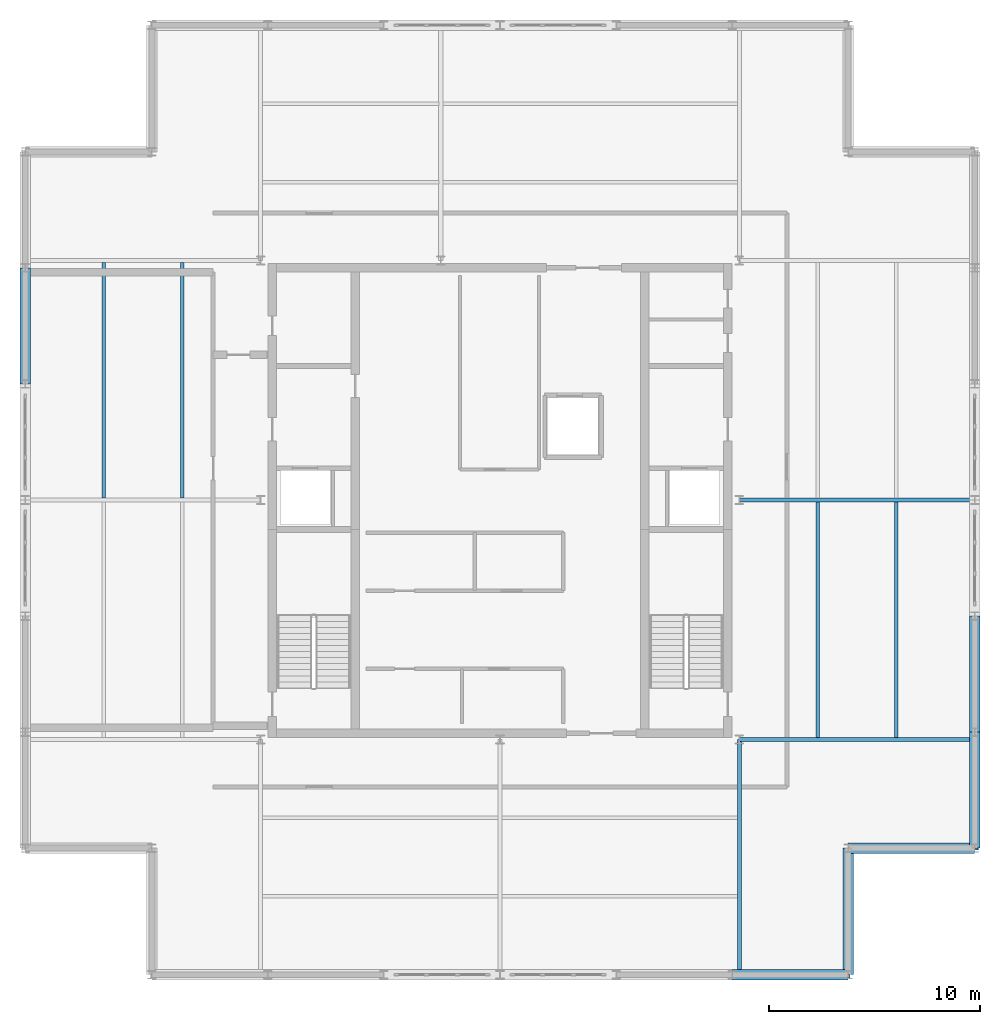
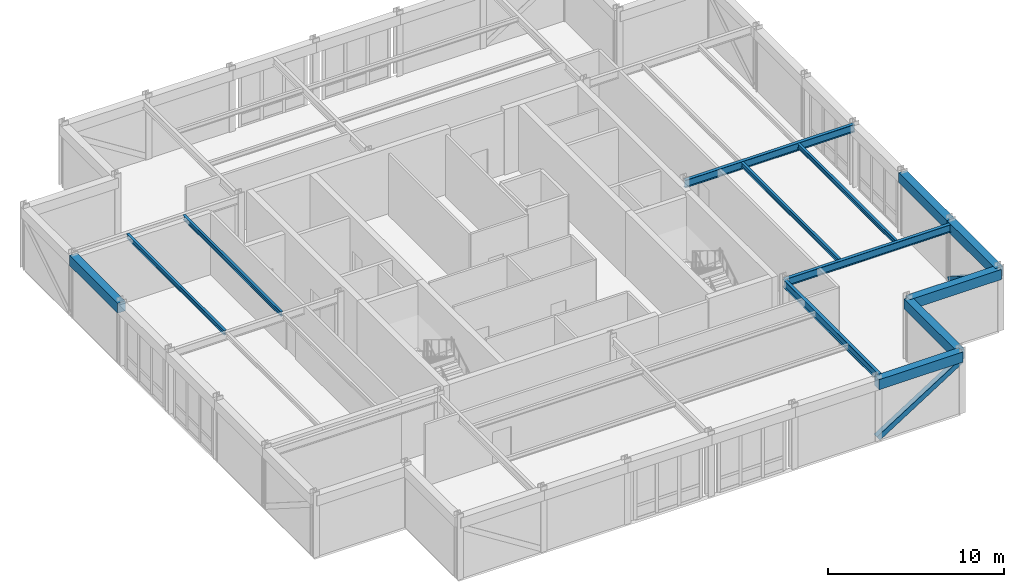
# One storey, part 3 of 9: 13 beams, 2 members.
"""IFC4 building model written with IfcOpenShell, lengths in metres."""

from ifc_helpers import new_model, si_unit, direction, frame, origin, origin_2d, place, context, subcontext, project, spatial, rectangle, hollow_rectangle, i_section, extrude, material, material_profile, profile_set, type_object, element, save


model = new_model("IFC4")

# Units and contexts
model_context = context("Model", 3, precision=1e-05, world=origin(), true_north=direction((0.0, 1.0)))
body_context = subcontext(model_context, "Body", "Model", "MODEL_VIEW")
ifc_project = project(units=[si_unit("LENGTHUNIT", "METRE"), si_unit("AREAUNIT", "SQUARE_METRE"), si_unit("VOLUMEUNIT", "CUBIC_METRE"), si_unit("PLANEANGLEUNIT", "RADIAN"), si_unit("MASSUNIT", "GRAM", prefix="KILO")], contexts=[model_context])

# Site, building, storey
site_placement = place(None, origin())
site = spatial("IfcSite", under=ifc_project, at=site_placement, CompositionType="ELEMENT")
building_placement = place(site_placement, origin())
building = spatial("IfcBuilding", under=site, at=building_placement, Name="Nhamokura Convention Tower", CompositionType="ELEMENT")
storey_placement = place(building_placement, frame((0.0, 0.0, 322.35009765625)))
storey = spatial("IfcBuildingStorey", under=building, at=storey_placement, Name="L79", CompositionType="ELEMENT", Elevation=322.35009765625)

# Beams
ifc_material_1 = material(Name="Steel ASTM A992 Gr 50", Category="steel")
ifc_material_profile_1 = material_profile(ifc_material_1, i_section(OverallWidth=0.166015625, OverallDepth=0.31298828125, WebThickness=0.006591796875, FlangeThickness=0.01123046875, at=origin_2d()))
ifc_profile_set_1 = profile_set([ifc_material_profile_1], Name="Steel ASTM A992 Gr 50")
beam_type_1 = type_object("IfcBeamType", Name="FloorJoist_W310X45", PredefinedType="JOIST", material=ifc_profile_set_1)
for number, where, z_axis, x_axis, name in (
    (1, (13.216796875, 32.1025390625, 4.13330078125), (0.0, 1.0, 0.0), (-1.0, 0.0, 0.0), "L79 Composite Floor Joist W1B"),
    (2, (16.933349609375, 32.1025390625, 4.13330078125), (0.0, 1.0, 0.0), (-1.0, 0.0, 0.0), "L79 Composite Floor Joist W2B"),
    (3, (47.066650390625, 20.75244140625, 4.13330078125), (0.0, 1.0, 0.0), (-1.0, 0.0, 0.0), "L79 Composite Floor Joist E1A"),
    (4, (50.783203125, 20.75244140625, 4.13330078125), (0.0, 1.0, 0.0), (-1.0, 0.0, 0.0), "L79 Composite Floor Joist E2A"),
):
    element("IfcBeam", number, at=place(storey_placement, frame(where, z_axis=z_axis, x_axis=x_axis)), inside=storey, type_object=beam_type_1, Name=name, PredefinedType="JOIST", context=body_context, shape_type="SweptSolid", body=[
        extrude(i_section(OverallWidth=0.166015625, OverallDepth=0.31298828125, WebThickness=0.006591796875, FlangeThickness=0.01123046875, at=origin_2d()), origin(), (0.0, 0.0, 1.0), 11.14501953125),
    ])
ifc_material_2 = material(Name="Steel ASTM A992 Gr 50", Category="steel")
ifc_material_profile_2 = material_profile(ifc_material_2, i_section(OverallWidth=0.208984375, OverallDepth=0.532958984375, WebThickness=0.01025390625, FlangeThickness=0.015625, at=origin_2d()))
ifc_profile_set_2 = profile_set([ifc_material_profile_2], Name="Steel ASTM A992 Gr 50")
beam_type_2 = type_object("IfcBeamType", Name="PrimaryGirder_W530X92", PredefinedType="BEAM", material=ifc_profile_set_2)
for number, where, z_axis, x_axis, name in (
    (5, (43.35009765625, 9.5, 4.0234375), (0.0, 1.0, 0.0), (-1.0, 0.0, 0.0), "L79 Primary Floor Girder PG-S3"),
    (6, (43.35009765625, 20.64990234375, 4.0234375), (1.0, 0.0, 0.0), (0.0, 1.0, 0.0), "L79 Primary Floor Girder PG-E1"),
    (7, (43.35009765625, 32.0, 4.0234375), (1.0, 0.0, 0.0), (0.0, 1.0, 0.0), "L79 Primary Floor Girder PG-E2"),
):
    element("IfcBeam", number, at=place(storey_placement, frame(where, z_axis=z_axis, x_axis=x_axis)), inside=storey, type_object=beam_type_2, Name=name, PredefinedType="BEAM", context=body_context, shape_type="SweptSolid", body=[
        extrude(i_section(OverallWidth=0.208984375, OverallDepth=0.532958984375, WebThickness=0.01025390625, FlangeThickness=0.015625, at=origin_2d()), origin(), (0.0, 0.0, 1.0), 11.14990234375),
    ])

# Members
ifc_material_3 = material(Name="Steel ASTM A572 Gr 50", Category="steel")
ifc_material_profile_3 = material_profile(ifc_material_3, hollow_rectangle(XDim=0.35009765625, YDim=0.35009765625, WallThickness=0.01611328125, at=origin_2d()))
ifc_profile_set_3 = profile_set([ifc_material_profile_3], Name="Steel ASTM A572 Gr 50")
member_type = type_object("IfcMemberType", Name="TubeBrace_HSS350", PredefinedType="BRACE", material=ifc_profile_set_3)
for number, where, z_axis, x_axis, name in (
    (8, (43.0, 9.5, 0.14990234375), (0.84435681045, 0.0, 0.535781276872), (0.0, 1.0, 0.0), "L79 Perimeter Tube Brace SOUTH Bay 5"),
    (9, (54.5, 21.0, 0.14990234375), (0.0, -0.84435681045, 0.535781276872), (1.0, 0.0, 0.0), "L79 Perimeter Tube Brace EAST Bay 0"),
):
    element("IfcMember", number, at=place(storey_placement, frame(where, z_axis=z_axis, x_axis=x_axis)), inside=storey, type_object=member_type, Name=name, PredefinedType="BRACE", context=body_context, shape_type="SweptSolid", body=[
        extrude(hollow_rectangle(XDim=0.35009765625, YDim=0.35009765625, WallThickness=0.01611328125, at=origin_2d()), origin(), (0.0, 0.0, 1.0), 6.513916015625),
    ])

# Beams
ifc_material_4 = material(Name="Concrete C50/60", Category="concrete")
ifc_material_profile_4 = material_profile(ifc_material_4, rectangle(XDim=0.5, YDim=0.699951171875, at=origin_2d()))
ifc_profile_set_4 = profile_set([ifc_material_profile_4], Name="Concrete C50/60")
beam_type_3 = type_object("IfcBeamType", Name="TubeSpandrel_700", PredefinedType="SPANDREL", material=ifc_profile_set_4)
for number, where, z_axis, x_axis, name in (
    (10, (43.0, 9.5, 3.93994140625), (1.0, 0.0, 0.0), (0.0, 1.0, 0.0), "L79 Perimeter Spandrel SOUTH 6"),
    (11, (9.5, 37.5, 3.93994140625), (0.0, 1.0, 0.0), (-1.0, 0.0, 0.0), "L79 Perimeter Spandrel WEST 5"),
    (12, (54.5, 15.5, 3.93994140625), (0.0, 1.0, 0.0), (-1.0, 0.0, 0.0), "L79 Perimeter Spandrel EAST 1"),
    (13, (54.5, 21.0, 3.93994140625), (0.0, 1.0, 0.0), (-1.0, 0.0, 0.0), "L79 Perimeter Spandrel EAST 2"),
):
    element("IfcBeam", number, at=place(storey_placement, frame(where, z_axis=z_axis, x_axis=x_axis)), inside=storey, type_object=beam_type_3, Name=name, PredefinedType="SPANDREL", context=body_context, shape_type="SweptSolid", body=[
        extrude(rectangle(XDim=0.5, YDim=0.699951171875, at=origin_2d()), origin(), (0.0, 0.0, 1.0), 5.5),
    ])
for number, where, z_axis, x_axis, name in (
    (14, (48.5, 9.5, 3.93994140625), (0.0, 1.0, 0.0), (-1.0, 0.0, 0.0), "L79 Notch Spandrel SE1"),
    (15, (48.5, 15.5, 3.93994140625), (1.0, 0.0, 0.0), (0.0, 1.0, 0.0), "L79 Notch Spandrel SE2"),
):
    element("IfcBeam", number, at=place(storey_placement, frame(where, z_axis=z_axis, x_axis=x_axis)), inside=storey, type_object=beam_type_3, Name=name, PredefinedType="SPANDREL", context=body_context, shape_type="SweptSolid", body=[
        extrude(rectangle(XDim=0.5, YDim=0.699951171875, at=origin_2d()), origin(), (0.0, 0.0, 1.0), 6.0),
    ])

save(model, "model.ifc")
